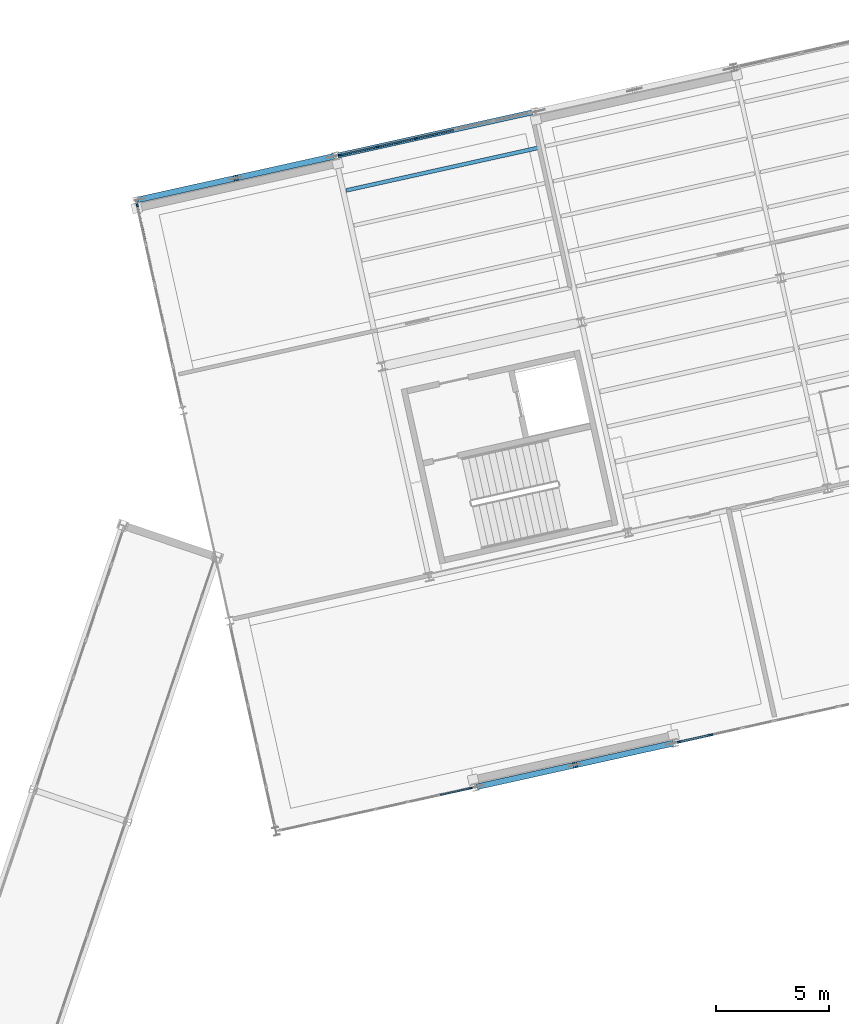
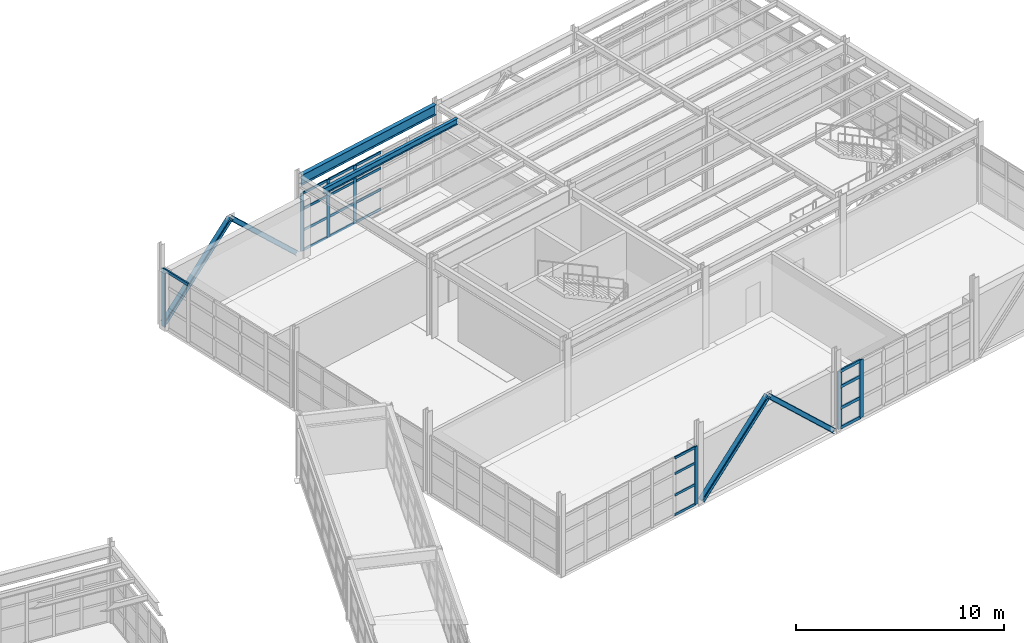
# One storey, part 54 of 102: 32 members, 2 beams, 4 elements without a shape of their own.
"""IFC4 building model written with IfcOpenShell, lengths in metres."""

import ifcopenshell
import ifcopenshell.guid

model = None  # the IFC model being written
_history = None  # IfcOwnerHistory: only IFC2X3 demands one
_inside = {}  # id of a spatial element -> (the spatial element, [elements in it])
_under = {}  # id of a project, library or spatial element -> (it, [spatial elements below it])
_declared = {}  # id of a project -> (the project, [libraries it declares])
_typed = {}  # id of a type object -> (the type object, [elements of that type])
_made_of = {}  # id of a material, layer set ... -> (it, [elements and type objects made of it])


def new_model(schema):
    """Start an empty IFC model of exactly this schema.

    Asked for "IFC4X3", IfcOpenShell would pick the latest addendum, in which some entities
    have other attributes; the version numbers below select the first issue.
    IFC2X3 requires an IfcOwnerHistory on every rooted entity: one is made here for all.
    """
    global model, _history
    if schema == "IFC4X3":
        model = ifcopenshell.file(schema_version=(4, 3, 0, 0))
    else:
        model = ifcopenshell.file(schema=schema)
    _inside.clear()
    _under.clear()
    _declared.clear()
    _typed.clear()
    _made_of.clear()
    _history = None
    if model.schema == "IFC2X3":
        org = make("IfcOrganization", Name="unknown")
        user = make(
            "IfcPersonAndOrganization",
            ThePerson=make("IfcPerson", FamilyName="unknown"),
            TheOrganization=org,
        )
        app = make(
            "IfcApplication",
            ApplicationDeveloper=org,
            Version="unknown",
            ApplicationFullName="unknown",
            ApplicationIdentifier="unknown",
        )
        _history = make(
            "IfcOwnerHistory",
            OwningUser=user,
            OwningApplication=app,
            ChangeAction="ADDED",
            CreationDate=0,
        )
    return model


def make(cls, **values):
    """One entity of the class cls with the attributes given. An attribute that is None is left unset."""
    return model.create_entity(
        cls, **{name: value for name, value in values.items() if value is not None}
    )


def rooted(cls, **values):
    """An entity with a GlobalId (a new one), such as an element, a storey or a relation."""
    return make(cls, GlobalId=ifcopenshell.guid.new(), OwnerHistory=_history, **values)


def si_unit(unit_type, name, prefix=None):
    """IfcSIUnit, for example si_unit("LENGTHUNIT", "METRE", prefix="MILLI")."""
    return make("IfcSIUnit", UnitType=unit_type, Prefix=prefix, Name=name)


def assignment(units):
    """IfcUnitAssignment: the units of a project."""
    return None if units is None else make("IfcUnitAssignment", Units=units)


def point(xyz):
    """IfcCartesianPoint."""
    return None if xyz is None else make("IfcCartesianPoint", Coordinates=xyz)


def direction(xyz):
    """IfcDirection."""
    return None if xyz is None else make("IfcDirection", DirectionRatios=xyz)


def frame(location, z_axis=None, x_axis=None):
    """IfcAxis2Placement3D, a coordinate frame: its origin and axes. An axis left out is left unset."""
    return make(
        "IfcAxis2Placement3D",
        Location=point(location),
        Axis=direction(z_axis),
        RefDirection=direction(x_axis),
    )


def frame_2d(location, x_axis=None):
    """IfcAxis2Placement2D, a coordinate frame in the plane: its origin and x axis."""
    return make(
        "IfcAxis2Placement2D", Location=point(location), RefDirection=direction(x_axis)
    )


def origin():
    """The frame at (0, 0, 0) with its axes left unset."""
    return frame((0.0, 0.0, 0.0))


def origin_2d():
    """The frame at (0, 0) in the plane with its x axis left unset."""
    return frame_2d((0.0, 0.0))


def place(relative_to, where):
    """IfcLocalPlacement: puts the frame where relative to a parent placement (None: the world)."""
    return make(
        "IfcLocalPlacement", PlacementRelTo=relative_to, RelativePlacement=where
    )


def context(
    kind, dimensions, precision=None, world=None, true_north=None, identifier=None
):
    """IfcGeometricRepresentationContext, for example the 3D "Model" context."""
    return make(
        "IfcGeometricRepresentationContext",
        ContextIdentifier=identifier,
        ContextType=kind,
        CoordinateSpaceDimension=dimensions,
        Precision=precision,
        WorldCoordinateSystem=world,
        TrueNorth=true_north,
    )


def subcontext(parent, identifier, kind, view, scale=None):
    """IfcGeometricRepresentationSubContext, for example "Body" below "Model"."""
    return make(
        "IfcGeometricRepresentationSubContext",
        ContextIdentifier=identifier,
        ContextType=kind,
        ParentContext=parent,
        TargetScale=scale,
        TargetView=view,
    )


def project(units=None, contexts=None):
    """IfcProject with its units and contexts."""
    return rooted(
        "IfcProject",
        Name="project",
        RepresentationContexts=contexts,
        UnitsInContext=assignment(units),
    )


def spatial(cls, under=None, at=None, **own):
    """A site, building, storey or space (cls), placed at a placement, below another one or the project."""
    s = rooted(cls, ObjectPlacement=at, **own)
    if under is not None:
        _under.setdefault(under.id(), (under, []))[1].append(s)
    return s


def profile(cls, at=None, kind="AREA", **sizes):
    """A parametric profile (cls). Its sizes go by their IFC names, for example OverallWidth=200.0."""
    return make(cls, ProfileType=kind, Position=at, **sizes)


def rectangle(**sizes):
    """IfcRectangleProfileDef."""
    return profile("IfcRectangleProfileDef", **sizes)


def i_section(**sizes):
    """IfcIShapeProfileDef."""
    return profile("IfcIShapeProfileDef", **sizes)


def extrude(swept, where, along, depth):
    """IfcExtrudedAreaSolid: the profile swept, set in the frame where, extruded along a direction by depth."""
    return make(
        "IfcExtrudedAreaSolid",
        SweptArea=swept,
        Position=where,
        ExtrudedDirection=direction(along),
        Depth=depth,
    )


def shape(context_of_items, identifier, shape_type, items):
    """IfcShapeRepresentation: the items that make up one representation, for example the "Body"."""
    return make(
        "IfcShapeRepresentation",
        ContextOfItems=context_of_items,
        RepresentationIdentifier=identifier,
        RepresentationType=shape_type,
        Items=items,
    )


def material(Name=None, Category=None):
    """IfcMaterial."""
    return make("IfcMaterial", Name=Name, Category=Category)


def layer(
    of_material, thickness, ventilated=None, Name=None, Category=None, Priority=None
):
    """IfcMaterialLayer: one layer of a wall or slab, of a material (None: an air gap)."""
    return make(
        "IfcMaterialLayer",
        Material=of_material,
        LayerThickness=thickness,
        IsVentilated=ventilated,
        Name=Name,
        Category=Category,
        Priority=Priority,
    )


def layer_set(layers, Name=None):
    """IfcMaterialLayerSet."""
    return make("IfcMaterialLayerSet", MaterialLayers=layers, LayerSetName=Name)


def material_profile(
    of_material, cross_section, Name=None, Category=None, Priority=None
):
    """IfcMaterialProfile: a cross section and its material."""
    return make(
        "IfcMaterialProfile",
        Name=Name,
        Material=of_material,
        Profile=cross_section,
        Priority=Priority,
        Category=Category,
    )


def profile_set(profiles, Name=None, composite=None):
    """IfcMaterialProfileSet."""
    return make(
        "IfcMaterialProfileSet",
        Name=Name,
        MaterialProfiles=profiles,
        CompositeProfile=composite,
    )


def made_of(thing, what):
    """Note that an element or type object is made of a material, layer set ...; save() writes the relation."""
    if what is not None:
        _made_of.setdefault(what.id(), (what, []))[1].append(thing)
    return thing


def type_object(cls, material=None, **own):
    """A type object (cls), such as IfcWallType, which elements share."""
    return made_of(rooted(cls, **own), material)


def element(
    cls,
    number,
    at=None,
    inside=None,
    cuts=None,
    type_object=None,
    material=None,
    context=None,
    identifier="Body",
    shape_type=None,
    held_by="IfcProductDefinitionShape",
    body=None,
    shapes=None,
    **own,
):
    """One element of the class cls, such as IfcWall. Its Tag is "e" and its number.

    at: its placement. inside: the storey or other place that contains it. cuts: it is an
    opening in that element (IfcRelVoidsElement). A single representation is given by context,
    identifier, shape_type and body (its items); several are given by shapes. held_by: the class
    of the entity that holds the representations. save() writes the other relations.
    """
    e = rooted(cls, Tag="e%d" % number, ObjectPlacement=at, **own)
    if body is not None:
        shapes = [shape(context, identifier, shape_type, body)]
    if shapes is not None:
        e.Representation = make(held_by, Representations=shapes)
    if inside is not None:
        _inside.setdefault(inside.id(), (inside, []))[1].append(e)
    if cuts is not None:
        rooted(
            "IfcRelVoidsElement", RelatingBuildingElement=cuts, RelatedOpeningElement=e
        )
    if type_object is not None:
        _typed.setdefault(type_object.id(), (type_object, []))[1].append(e)
    return made_of(e, material)


def aggregate(whole, parts):
    """IfcRelAggregates: a whole, such as a stair, and the parts it consists of."""
    return rooted("IfcRelAggregates", RelatingObject=whole, RelatedObjects=parts)


def save(model, path):
    """Write the relations noted so far, then the file.

    IfcRelAggregates (storeys below a building ...), IfcRelContainedInSpatialStructure (elements
    in a storey), IfcRelDefinesByType, IfcRelAssociatesMaterial and IfcRelDeclares: one each for
    every whole, place, type object, material and project.
    """
    for whole, parts in _under.values():
        aggregate(whole, parts)
    for where, things in _inside.values():
        rooted(
            "IfcRelContainedInSpatialStructure",
            RelatedElements=things,
            RelatingStructure=where,
        )
    for kind, things in _typed.values():
        rooted("IfcRelDefinesByType", RelatedObjects=things, RelatingType=kind)
    for what, things in _made_of.values():
        rooted("IfcRelAssociatesMaterial", RelatedObjects=things, RelatingMaterial=what)
    for by, libraries in _declared.values():
        rooted("IfcRelDeclares", RelatingContext=by, RelatedDefinitions=libraries)
    model.write(path)


model = new_model("IFC4")

# Units and contexts
model_context = context("Model", 3, precision=1e-05, world=origin(), true_north=direction((0.0, 1.0)))
body_context = subcontext(model_context, "Body", "Model", "MODEL_VIEW")
ifc_project = project(units=[si_unit("LENGTHUNIT", "METRE"), si_unit("AREAUNIT", "SQUARE_METRE"), si_unit("VOLUMEUNIT", "CUBIC_METRE"), si_unit("PLANEANGLEUNIT", "RADIAN"), si_unit("MASSUNIT", "GRAM", prefix="KILO")], contexts=[model_context])

# Site, building, storey
site_placement = place(None, origin())
site = spatial("IfcSite", under=ifc_project, at=site_placement, CompositionType="ELEMENT")
building_placement = place(site_placement, origin())
building = spatial("IfcBuilding", under=site, at=building_placement, Name="Vireo Bluff Cable Station", CompositionType="ELEMENT")
storey_placement = place(building_placement, frame((0.0, 0.0, 9.60009765625)))
storey = spatial("IfcBuildingStorey", under=building, at=storey_placement, Name="L02", CompositionType="ELEMENT", Elevation=9.60009765625)

# Members
ifc_material_1 = material(Name="Steel ASTM A992 Gr. 50", Category="steel")
ifc_material_profile_1 = material_profile(ifc_material_1, i_section(OverallWidth=0.2548828125, OverallDepth=0.256103515625, WebThickness=0.009521484375, FlangeThickness=0.015625, FilletRadius=0.009033203125, at=origin_2d()), Name="W10X54")
ifc_profile_set_1 = profile_set([ifc_material_profile_1], Name="Steel ASTM A992 Gr. 50")
member_type_1 = type_object("IfcMemberType", Name="BRC-02", PredefinedType="BRACE", material=ifc_profile_set_1)
for number, where, z_axis, x_axis, name in (
    (1, (119.98779296875, 101.859130859375, 0.039794921875), (0.70641690538, 0.156588063094, 0.69025744059), (-0.216412221259, 0.976302079528, 0.0), "V2 L02 concentric brace 37L"),
    (2, (134.94287109375, 75.982666015625, 0.039794921875), (0.70641690538, 0.156588063094, 0.69025744059), (-0.216412221259, 0.976302079528, 0.0), "V2 L02 concentric brace 43L"),
):
    element("IfcMember", number, at=place(storey_placement, frame(where, z_axis=z_axis, x_axis=x_axis)), inside=storey, type_object=member_type_1, Name=name, PredefinedType="BRACE", context=body_context, shape_type="SweptSolid", body=[
        extrude(i_section(OverallWidth=0.2548828125, OverallDepth=0.256103515625, WebThickness=0.009521484375, FlangeThickness=0.015625, FilletRadius=0.009033203125, at=origin_2d()), origin(), (0.0, 0.0, 1.0), 5.998046875),
    ])
ifc_material_profile_2 = material_profile(ifc_material_1, i_section(OverallWidth=0.257080078125, OverallDepth=0.263916015625, WebThickness=0.011962890625, FlangeThickness=0.01953125, FilletRadius=0.009033203125, at=origin_2d()), Name="W10X68")
ifc_profile_set_2 = profile_set([ifc_material_profile_2], Name="Steel ASTM A992 Gr. 50")
member_type_2 = type_object("IfcMemberType", Name="BRC-03", PredefinedType="BRACE", material=ifc_profile_set_2)
member_1_placement = place(storey_placement, frame((128.4619140625, 103.73779296875, 0.039794921875), z_axis=(-0.706412402312, -0.156627768603, 0.690253040531), x_axis=(0.216465840429, -0.976290192477, 0.0)))
element("IfcMember", 3, at=member_1_placement, inside=storey, type_object=member_type_2, Name="V2 L02 concentric brace 38R", PredefinedType="BRACE", context=body_context, shape_type="SweptSolid", body=[
    extrude(i_section(OverallWidth=0.257080078125, OverallDepth=0.263916015625, WebThickness=0.011962890625, FlangeThickness=0.01953125, FilletRadius=0.009033203125, at=origin_2d()), origin(), (0.0, 0.0, 1.0), 5.998046875),
])
member_2_placement = place(storey_placement, frame((143.417236328125, 77.861328125, 0.039794921875), z_axis=(-0.706432793225, -0.156623265057, 0.690233193565), x_axis=(0.216453952688, -0.976292828185, 0.0)))
element("IfcMember", 4, at=member_2_placement, inside=storey, type_object=member_type_2, Name="V2 L02 concentric brace 44R", PredefinedType="BRACE", context=body_context, shape_type="SweptSolid", body=[
    extrude(i_section(OverallWidth=0.257080078125, OverallDepth=0.263916015625, WebThickness=0.011962890625, FlangeThickness=0.01953125, FilletRadius=0.009033203125, at=origin_2d()), origin(), (0.0, 0.0, 1.0), 5.998291015625),
])

# Curtain wall, member
ifc_material_2 = material(Name="Anodized Aluminium 6063-T6", Category="aluminium")
ifc_layer_1 = layer(ifc_material_2, 0.179931640625, Name="Anodized Aluminium 6063-T6")
ifc_layer_set_1 = layer_set([ifc_layer_1], Name="Anodized Aluminium 6063-T6")
curtain_wall_type_1 = type_object("IfcCurtainWallType", Name="CW-UNIT-1500", PredefinedType="USERDEFINED", material=ifc_layer_set_1)
curtain_wall_1_placement = place(storey_placement, origin())
curtain_wall_1 = element("IfcCurtainWall", 5, at=curtain_wall_1_placement, inside=storey, type_object=curtain_wall_type_1, Name="V2 L02 south curtain wall CW-052", ObjectType="UNITISED CURTAIN WALL", PredefinedType="USERDEFINED")
ifc_material_profile_3 = material_profile(ifc_material_2, rectangle(XDim=0.06494140625, YDim=0.179931640625, at=origin_2d()), Name="ALU-M-65X180")
ifc_profile_set_3 = profile_set([ifc_material_profile_3], Name="Anodized Aluminium 6063-T6")
member_type_3 = type_object("IfcMemberType", Name="CWM-01", PredefinedType="MULLION", material=ifc_profile_set_3)
member_3_placement = place(storey_placement, frame((134.60205078125, 75.906982421875, 0.0), z_axis=(0.0, 0.0, 1.0), x_axis=(0.216439601414, -0.976296009896, 0.0)))
member_3 = element("IfcMember", 6, at=member_3_placement, type_object=member_type_3, Name="CW-052 mullion 1", PredefinedType="MULLION", context=body_context, shape_type="SweptSolid", body=[
    extrude(rectangle(XDim=0.06494140625, YDim=0.179931640625, at=origin_2d()), origin(), (0.0, 0.0, 1.0), 3.39990234375),
])

# Curtain wall, members
ifc_layer_2 = layer(ifc_material_2, 0.179931640625, Name="Anodized Aluminium 6063-T6")
ifc_layer_set_2 = layer_set([ifc_layer_2], Name="Anodized Aluminium 6063-T6")
curtain_wall_type_2 = type_object("IfcCurtainWallType", Name="CW-UNIT-1650", PredefinedType="USERDEFINED", material=ifc_layer_set_2)
curtain_wall_2_placement = place(storey_placement, origin())
curtain_wall_2 = element("IfcCurtainWall", 7, at=curtain_wall_2_placement, inside=storey, type_object=curtain_wall_type_2, Name="V2 L02 north curtain wall CW-056", ObjectType="UNITISED CURTAIN WALL", PredefinedType="USERDEFINED")
member_4_placement = place(storey_placement, frame((128.8046875, 103.813720703125, 0.0), z_axis=(0.0, 0.0, 1.0), x_axis=(-0.216439604447, 0.976296009224, 0.0)))
member_4 = element("IfcMember", 8, at=member_4_placement, type_object=member_type_3, Name="CW-056 mullion 1", PredefinedType="MULLION", context=body_context, shape_type="SweptSolid", body=[
    extrude(rectangle(XDim=0.06494140625, YDim=0.179931640625, at=origin_2d()), origin(), (0.0, 0.0, 1.0), 3.39990234375),
])
member_5_placement = place(storey_placement, frame((130.46875, 104.1826171875, 0.0), z_axis=(0.0, 0.0, 1.0), x_axis=(-0.216439604447, 0.976296009224, 0.0)))
member_5 = element("IfcMember", 9, at=member_5_placement, type_object=member_type_3, Name="CW-056 mullion 2", PredefinedType="MULLION", context=body_context, shape_type="SweptSolid", body=[
    extrude(rectangle(XDim=0.06494140625, YDim=0.179931640625, at=origin_2d()), origin(), (0.0, 0.0, 1.0), 3.39990234375),
])
member_6_placement = place(storey_placement, frame((132.16455078125, 104.55859375, 0.0), z_axis=(0.0, 0.0, 1.0), x_axis=(-0.216439604447, 0.976296009224, 0.0)))
member_6 = element("IfcMember", 10, at=member_6_placement, type_object=member_type_3, Name="CW-056 mullion 3", PredefinedType="MULLION", context=body_context, shape_type="SweptSolid", body=[
    extrude(rectangle(XDim=0.06494140625, YDim=0.179931640625, at=origin_2d()), origin(), (0.0, 0.0, 1.0), 3.39990234375),
])

ifc_layer_3 = layer(ifc_material_2, 0.179931640625, Name="Anodized Aluminium 6063-T6")
ifc_layer_set_3 = layer_set([ifc_layer_3], Name="Anodized Aluminium 6063-T6")
curtain_wall_type_3 = type_object("IfcCurtainWallType", Name="CW-UNIT-1400", PredefinedType="USERDEFINED", material=ifc_layer_set_3)
curtain_wall_3_placement = place(storey_placement, origin())
curtain_wall_3 = element("IfcCurtainWall", 11, at=curtain_wall_3_placement, inside=storey, type_object=curtain_wall_type_3, Name="V2 L02 south curtain wall CW-051", ObjectType="UNITISED CURTAIN WALL", PredefinedType="USERDEFINED")
ifc_material_profile_4 = material_profile(ifc_material_2, rectangle(XDim=0.080078125, YDim=0.239990234375, at=origin_2d()), Name="ALU-M-80X240")
ifc_profile_set_4 = profile_set([ifc_material_profile_4], Name="Anodized Aluminium 6063-T6")
member_type_4 = type_object("IfcMemberType", Name="CWM-04", PredefinedType="MULLION", material=ifc_profile_set_4)
member_7_placement = place(storey_placement, frame((145.141357421875, 78.243408203125, 0.0), z_axis=(0.0, 0.0, 1.0), x_axis=(0.216439604447, -0.976296009224, 0.0)))
member_7 = element("IfcMember", 12, at=member_7_placement, type_object=member_type_4, Name="CW-051 mullion 6", PredefinedType="MULLION", context=body_context, shape_type="SweptSolid", body=[
    extrude(rectangle(XDim=0.080078125, YDim=0.239990234375, at=origin_2d()), origin(), (0.0, 0.0, 1.0), 3.39990234375),
])
member_8_placement = place(storey_placement, frame((143.76708984375, 77.93896484375, 0.0), z_axis=(0.0, 0.0, 1.0), x_axis=(0.216439604447, -0.976296009224, 0.0)))
member_8 = element("IfcMember", 13, at=member_8_placement, type_object=member_type_4, Name="CW-051 mullion 7", PredefinedType="MULLION", context=body_context, shape_type="SweptSolid", body=[
    extrude(rectangle(XDim=0.080078125, YDim=0.239990234375, at=origin_2d()), origin(), (0.0, 0.0, 1.0), 3.39990234375),
])

# Curtain wall, member
ifc_layer_4 = layer(ifc_material_2, 0.159912109375, Name="Anodized Aluminium 6063-T6")
ifc_layer_set_4 = layer_set([ifc_layer_4], Name="Anodized Aluminium 6063-T6")
curtain_wall_type_4 = type_object("IfcCurtainWallType", Name="CW-STICK-1850", PredefinedType="USERDEFINED", material=ifc_layer_set_4)
curtain_wall_4_placement = place(storey_placement, origin())
curtain_wall_4 = element("IfcCurtainWall", 14, at=curtain_wall_4_placement, inside=storey, type_object=curtain_wall_type_4, Name="V2 L02 west curtain wall CW-055", ObjectType="STICK CURTAIN WALL", PredefinedType="USERDEFINED")
member_9_placement = place(storey_placement, frame((119.869140625, 101.654541015625, 0.0), z_axis=(0.0, 0.0, 1.0), x_axis=(-0.976296019658, -0.216439557384, 0.0)))
member_9 = element("IfcMember", 15, at=member_9_placement, type_object=member_type_4, Name="CW-055 mullion 6", PredefinedType="MULLION", context=body_context, shape_type="SweptSolid", body=[
    extrude(rectangle(XDim=0.080078125, YDim=0.239990234375, at=origin_2d()), origin(), (0.0, 0.0, 1.0), 3.39990234375),
])

# Member
ifc_material_profile_5 = material_profile(ifc_material_2, rectangle(XDim=0.06494140625, YDim=0.139892578125, at=origin_2d()), Name="ALU-T-65X140")
ifc_profile_set_5 = profile_set([ifc_material_profile_5], Name="Anodized Aluminium 6063-T6")
member_type_5 = type_object("IfcMemberType", Name="CWT-01", PredefinedType="USERDEFINED", material=ifc_profile_set_5)
member_10_placement = place(storey_placement, frame((134.5703125, 75.89990234375, 0.032470703125), z_axis=(-0.976301401655, -0.216415279326, 0.0), x_axis=(0.216415279326, -0.976301401655, 0.0)))
member_10 = element("IfcMember", 16, at=member_10_placement, type_object=member_type_5, Name="CW-052 transom 1.1", ObjectType="TRANSOM", PredefinedType="USERDEFINED", context=body_context, shape_type="SweptSolid", body=[
    extrude(rectangle(XDim=0.06494140625, YDim=0.139892578125, at=origin_2d()), origin(), (0.0, 0.0, 1.0), 1.35498046875),
])

member_11_placement = place(storey_placement, frame((134.5703125, 75.89990234375, 1.18994140625), z_axis=(-0.976301401655, -0.216415279326, 0.0), x_axis=(0.216415279326, -0.976301401655, 0.0)))
member_11 = element("IfcMember", 17, at=member_11_placement, type_object=member_type_5, Name="CW-052 transom 1.2", ObjectType="TRANSOM", PredefinedType="USERDEFINED", context=body_context, shape_type="SweptSolid", body=[
    extrude(rectangle(XDim=0.06494140625, YDim=0.139892578125, at=origin_2d()), origin(), (0.0, 0.0, 1.0), 1.35498046875),
])

member_12_placement = place(storey_placement, frame((134.5703125, 75.89990234375, 2.447998046875), z_axis=(-0.976301401655, -0.216415279326, 0.0), x_axis=(0.216415279326, -0.976301401655, 0.0)))
member_12 = element("IfcMember", 18, at=member_12_placement, type_object=member_type_5, Name="CW-052 transom 1.3", ObjectType="TRANSOM", PredefinedType="USERDEFINED", context=body_context, shape_type="SweptSolid", body=[
    extrude(rectangle(XDim=0.06494140625, YDim=0.139892578125, at=origin_2d()), origin(), (0.0, 0.0, 1.0), 1.35498046875),
])

member_13_placement = place(storey_placement, frame((134.5703125, 75.89990234375, 3.367431640625), z_axis=(-0.976301401655, -0.216415279326, 0.0), x_axis=(0.216415279326, -0.976301401655, 0.0)))
member_13 = element("IfcMember", 19, at=member_13_placement, type_object=member_type_5, Name="CW-052 transom 1.4", ObjectType="TRANSOM", PredefinedType="USERDEFINED", context=body_context, shape_type="SweptSolid", body=[
    extrude(rectangle(XDim=0.06494140625, YDim=0.139892578125, at=origin_2d()), origin(), (0.0, 0.0, 1.0), 1.35498046875),
])

aggregate(curtain_wall_1, [member_3, member_10, member_11, member_12, member_13])

member_14_placement = place(storey_placement, frame((128.83642578125, 103.82080078125, 0.032470703125), z_axis=(0.976309542933, 0.216378548792, 0.0), x_axis=(-0.216378548792, 0.976309542933, 0.0)))
member_14 = element("IfcMember", 20, at=member_14_placement, type_object=member_type_5, Name="CW-056 transom 1.1", ObjectType="TRANSOM", PredefinedType="USERDEFINED", context=body_context, shape_type="SweptSolid", body=[
    extrude(rectangle(XDim=0.06494140625, YDim=0.139892578125, at=origin_2d()), origin(), (0.0, 0.0, 1.0), 1.639404296875),
])

member_15_placement = place(storey_placement, frame((128.83642578125, 103.82080078125, 1.18994140625), z_axis=(0.976309542933, 0.216378548792, 0.0), x_axis=(-0.216378548792, 0.976309542933, 0.0)))
member_15 = element("IfcMember", 21, at=member_15_placement, type_object=member_type_5, Name="CW-056 transom 1.2", ObjectType="TRANSOM", PredefinedType="USERDEFINED", context=body_context, shape_type="SweptSolid", body=[
    extrude(rectangle(XDim=0.06494140625, YDim=0.139892578125, at=origin_2d()), origin(), (0.0, 0.0, 1.0), 1.639404296875),
])

member_16_placement = place(storey_placement, frame((128.83642578125, 103.82080078125, 2.447998046875), z_axis=(0.976309542933, 0.216378548792, 0.0), x_axis=(-0.216378548792, 0.976309542933, 0.0)))
member_16 = element("IfcMember", 22, at=member_16_placement, type_object=member_type_5, Name="CW-056 transom 1.3", ObjectType="TRANSOM", PredefinedType="USERDEFINED", context=body_context, shape_type="SweptSolid", body=[
    extrude(rectangle(XDim=0.06494140625, YDim=0.139892578125, at=origin_2d()), origin(), (0.0, 0.0, 1.0), 1.639404296875),
])

member_17_placement = place(storey_placement, frame((128.83642578125, 103.82080078125, 3.367431640625), z_axis=(0.976309542933, 0.216378548792, 0.0), x_axis=(-0.216378548792, 0.976309542933, 0.0)))
member_17 = element("IfcMember", 23, at=member_17_placement, type_object=member_type_5, Name="CW-056 transom 1.4", ObjectType="TRANSOM", PredefinedType="USERDEFINED", context=body_context, shape_type="SweptSolid", body=[
    extrude(rectangle(XDim=0.06494140625, YDim=0.139892578125, at=origin_2d()), origin(), (0.0, 0.0, 1.0), 1.639404296875),
])

member_18_placement = place(storey_placement, frame((130.50048828125, 104.189697265625, 0.032470703125), z_axis=(0.976303736321, 0.216404746818, 0.0), x_axis=(-0.216404746818, 0.976303736321, 0.0)))
member_18 = element("IfcMember", 24, at=member_18_placement, type_object=member_type_5, Name="CW-056 transom 2.1", ObjectType="TRANSOM", PredefinedType="USERDEFINED", context=body_context, shape_type="SweptSolid", body=[
    extrude(rectangle(XDim=0.06494140625, YDim=0.139892578125, at=origin_2d()), origin(), (0.0, 0.0, 1.0), 1.671875),
])

member_19_placement = place(storey_placement, frame((130.50048828125, 104.189697265625, 1.18994140625), z_axis=(0.976303736321, 0.216404746818, 0.0), x_axis=(-0.216404746818, 0.976303736321, 0.0)))
member_19 = element("IfcMember", 25, at=member_19_placement, type_object=member_type_5, Name="CW-056 transom 2.2", ObjectType="TRANSOM", PredefinedType="USERDEFINED", context=body_context, shape_type="SweptSolid", body=[
    extrude(rectangle(XDim=0.06494140625, YDim=0.139892578125, at=origin_2d()), origin(), (0.0, 0.0, 1.0), 1.671875),
])

member_20_placement = place(storey_placement, frame((130.50048828125, 104.189697265625, 2.447998046875), z_axis=(0.976303736321, 0.216404746818, 0.0), x_axis=(-0.216404746818, 0.976303736321, 0.0)))
member_20 = element("IfcMember", 26, at=member_20_placement, type_object=member_type_5, Name="CW-056 transom 2.3", ObjectType="TRANSOM", PredefinedType="USERDEFINED", context=body_context, shape_type="SweptSolid", body=[
    extrude(rectangle(XDim=0.06494140625, YDim=0.139892578125, at=origin_2d()), origin(), (0.0, 0.0, 1.0), 1.671875),
])

member_21_placement = place(storey_placement, frame((130.50048828125, 104.189697265625, 3.367431640625), z_axis=(0.976303736321, 0.216404746818, 0.0), x_axis=(-0.216404746818, 0.976303736321, 0.0)))
member_21 = element("IfcMember", 27, at=member_21_placement, type_object=member_type_5, Name="CW-056 transom 2.4", ObjectType="TRANSOM", PredefinedType="USERDEFINED", context=body_context, shape_type="SweptSolid", body=[
    extrude(rectangle(XDim=0.06494140625, YDim=0.139892578125, at=origin_2d()), origin(), (0.0, 0.0, 1.0), 1.671875),
])

member_22_placement = place(storey_placement, frame((132.1962890625, 104.565673828125, 0.032470703125), z_axis=(0.976303736321, 0.216404746818, 0.0), x_axis=(-0.216404746818, 0.976303736321, 0.0)))
member_22 = element("IfcMember", 28, at=member_22_placement, type_object=member_type_5, Name="CW-056 transom 3.1", ObjectType="TRANSOM", PredefinedType="USERDEFINED", context=body_context, shape_type="SweptSolid", body=[
    extrude(rectangle(XDim=0.06494140625, YDim=0.139892578125, at=origin_2d()), origin(), (0.0, 0.0, 1.0), 1.671875),
])

member_23_placement = place(storey_placement, frame((132.1962890625, 104.565673828125, 1.18994140625), z_axis=(0.976303736321, 0.216404746818, 0.0), x_axis=(-0.216404746818, 0.976303736321, 0.0)))
member_23 = element("IfcMember", 29, at=member_23_placement, type_object=member_type_5, Name="CW-056 transom 3.2", ObjectType="TRANSOM", PredefinedType="USERDEFINED", context=body_context, shape_type="SweptSolid", body=[
    extrude(rectangle(XDim=0.06494140625, YDim=0.139892578125, at=origin_2d()), origin(), (0.0, 0.0, 1.0), 1.671875),
])

member_24_placement = place(storey_placement, frame((132.1962890625, 104.565673828125, 2.447998046875), z_axis=(0.976303736321, 0.216404746818, 0.0), x_axis=(-0.216404746818, 0.976303736321, 0.0)))
member_24 = element("IfcMember", 30, at=member_24_placement, type_object=member_type_5, Name="CW-056 transom 3.3", ObjectType="TRANSOM", PredefinedType="USERDEFINED", context=body_context, shape_type="SweptSolid", body=[
    extrude(rectangle(XDim=0.06494140625, YDim=0.139892578125, at=origin_2d()), origin(), (0.0, 0.0, 1.0), 1.671875),
])

member_25_placement = place(storey_placement, frame((132.1962890625, 104.565673828125, 3.367431640625), z_axis=(0.976303736321, 0.216404746818, 0.0), x_axis=(-0.216404746818, 0.976303736321, 0.0)))
member_25 = element("IfcMember", 31, at=member_25_placement, type_object=member_type_5, Name="CW-056 transom 3.4", ObjectType="TRANSOM", PredefinedType="USERDEFINED", context=body_context, shape_type="SweptSolid", body=[
    extrude(rectangle(XDim=0.06494140625, YDim=0.139892578125, at=origin_2d()), origin(), (0.0, 0.0, 1.0), 1.671875),
])

aggregate(curtain_wall_2, [member_4, member_5, member_6, member_14, member_15, member_16, member_17, member_18, member_19, member_20, member_21, member_22, member_23, member_24, member_25])

ifc_material_profile_6 = material_profile(ifc_material_2, rectangle(XDim=0.080078125, YDim=0.175048828125, at=origin_2d()), Name="ALU-T-80X175")
ifc_profile_set_6 = profile_set([ifc_material_profile_6], Name="Anodized Aluminium 6063-T6")
member_type_6 = type_object("IfcMemberType", Name="CWT-04", PredefinedType="USERDEFINED", material=ifc_profile_set_6)
member_26_placement = place(storey_placement, frame((145.102294921875, 78.23486328125, 0.039794921875), z_axis=(-0.976295111965, -0.216443651683, 0.0), x_axis=(0.216443651683, -0.976295111965, 0.0)))
member_26 = element("IfcMember", 32, at=member_26_placement, type_object=member_type_6, Name="CW-051 transom 6.1", ObjectType="TRANSOM", PredefinedType="USERDEFINED", context=body_context, shape_type="SweptSolid", body=[
    extrude(rectangle(XDim=0.080078125, YDim=0.175048828125, at=origin_2d()), origin(), (0.0, 0.0, 1.0), 1.32763671875),
])

member_27_placement = place(storey_placement, frame((145.102294921875, 78.23486328125, 1.18994140625), z_axis=(-0.976295111965, -0.216443651683, 0.0), x_axis=(0.216443651683, -0.976295111965, 0.0)))
member_27 = element("IfcMember", 33, at=member_27_placement, type_object=member_type_6, Name="CW-051 transom 6.2", ObjectType="TRANSOM", PredefinedType="USERDEFINED", context=body_context, shape_type="SweptSolid", body=[
    extrude(rectangle(XDim=0.080078125, YDim=0.175048828125, at=origin_2d()), origin(), (0.0, 0.0, 1.0), 1.32763671875),
])

member_28_placement = place(storey_placement, frame((145.102294921875, 78.23486328125, 2.447998046875), z_axis=(-0.976295111965, -0.216443651683, 0.0), x_axis=(0.216443651683, -0.976295111965, 0.0)))
member_28 = element("IfcMember", 34, at=member_28_placement, type_object=member_type_6, Name="CW-051 transom 6.3", ObjectType="TRANSOM", PredefinedType="USERDEFINED", context=body_context, shape_type="SweptSolid", body=[
    extrude(rectangle(XDim=0.080078125, YDim=0.175048828125, at=origin_2d()), origin(), (0.0, 0.0, 1.0), 1.32763671875),
])

member_29_placement = place(storey_placement, frame((145.102294921875, 78.23486328125, 3.35986328125), z_axis=(-0.976295111965, -0.216443651683, 0.0), x_axis=(0.216443651683, -0.976295111965, 0.0)))
member_29 = element("IfcMember", 35, at=member_29_placement, type_object=member_type_6, Name="CW-051 transom 6.4", ObjectType="TRANSOM", PredefinedType="USERDEFINED", context=body_context, shape_type="SweptSolid", body=[
    extrude(rectangle(XDim=0.080078125, YDim=0.175048828125, at=origin_2d()), origin(), (0.0, 0.0, 1.0), 1.32763671875),
])

aggregate(curtain_wall_3, [member_7, member_8, member_26, member_27, member_28, member_29])

member_30_placement = place(storey_placement, frame((120.250244140625, 99.935791015625, 3.35986328125), z_axis=(-0.216539797379, 0.976273791593, 0.0), x_axis=(-0.976273791593, -0.216539797379, 0.0)))
member_30 = element("IfcMember", 36, at=member_30_placement, type_object=member_type_6, Name="CW-055 transom 5.4", ObjectType="TRANSOM", PredefinedType="USERDEFINED", context=body_context, shape_type="SweptSolid", body=[
    extrude(rectangle(XDim=0.080078125, YDim=0.175048828125, at=origin_2d()), origin(), (0.0, 0.0, 1.0), 1.720458984375),
])

aggregate(curtain_wall_4, [member_9, member_30])

# Beams
ifc_material_profile_7 = material_profile(ifc_material_1, i_section(OverallWidth=0.1708984375, OverallDepth=0.35107421875, WebThickness=0.0068359375, FlangeThickness=0.009765625, FilletRadius=0.010009765625, at=origin_2d()), Name="W14X30")
ifc_profile_set_7 = profile_set([ifc_material_profile_7], Name="Steel ASTM A992 Gr. 50")
beam_type_1 = type_object("IfcBeamType", Name="JST-W14X30", PredefinedType="JOIST", material=ifc_profile_set_7)
beam_1_placement = place(storey_placement, frame((129.097412109375, 102.2568359375, 4.364501953125), z_axis=(0.976294318526, 0.216447230551, 0.0), x_axis=(-0.216447230551, 0.976294318526, 0.0)))
element("IfcBeam", 37, at=beam_1_placement, inside=storey, type_object=beam_type_1, Name="V2 L02 composite joist 545", PredefinedType="JOIST", context=body_context, shape_type="SweptSolid", body=[
    extrude(i_section(OverallWidth=0.1708984375, OverallDepth=0.35107421875, WebThickness=0.0068359375, FlangeThickness=0.009765625, FilletRadius=0.010009765625, at=origin_2d()), origin(), (0.0, 0.0, 1.0), 8.72021484375),
])
ifc_material_profile_8 = material_profile(ifc_material_1, i_section(OverallWidth=0.22802734375, OverallDepth=0.60693359375, WebThickness=0.01123046875, FlangeThickness=0.017333984375, FilletRadius=0.012939453125, at=origin_2d()), Name="W24X76")
ifc_profile_set_8 = profile_set([ifc_material_profile_8], Name="Steel ASTM A992 Gr. 50")
beam_type_2 = type_object("IfcBeamType", Name="SPN-W24X76", PredefinedType="SPANDREL", material=ifc_profile_set_8)
beam_2_placement = place(storey_placement, frame((128.7353515625, 103.79833984375, 4.236328125), z_axis=(0.976295795297, 0.216440569406, 0.0), x_axis=(-0.216440569406, 0.976295795297, 0.0)))
element("IfcBeam", 38, at=beam_2_placement, inside=storey, type_object=beam_type_2, Name="V2 L02 spandrel 530", PredefinedType="SPANDREL", context=body_context, shape_type="SweptSolid", body=[
    extrude(i_section(OverallWidth=0.22802734375, OverallDepth=0.60693359375, WebThickness=0.01123046875, FlangeThickness=0.017333984375, FilletRadius=0.012939453125, at=origin_2d()), origin(), (0.0, 0.0, 1.0), 8.760009765625),
])

save(model, "model.ifc")
